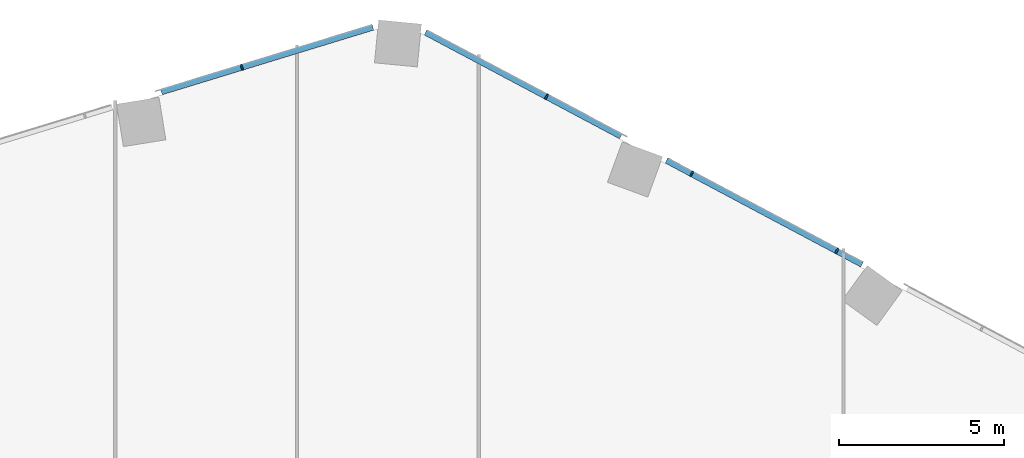
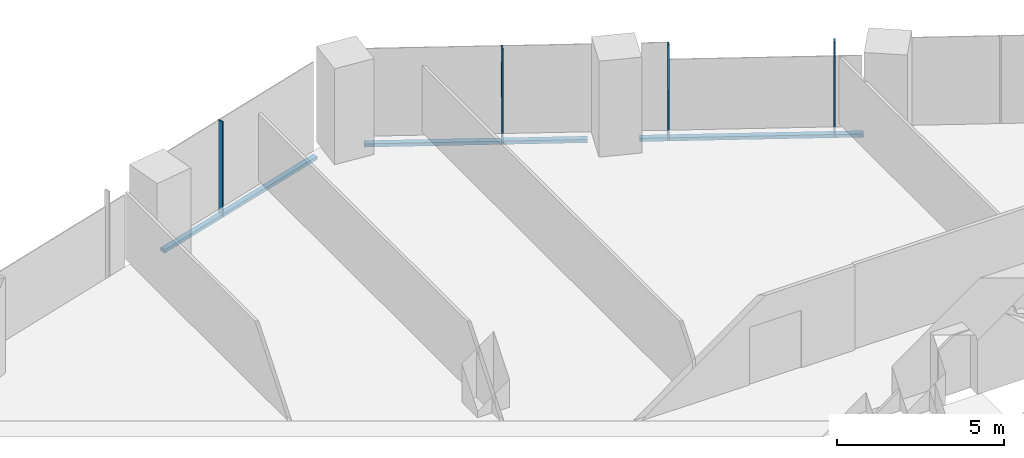
# One storey, part 12 of 31: 7 members, 2 elements without a shape of their own.
"""IFC4 building model written with IfcOpenShell, lengths in metres."""

from ifc_helpers import new_model, si_unit, direction, frame, origin, origin_2d, place, context, subcontext, project, spatial, rectangle, extrude, material, material_profile, profile_set, type_object, element, aggregate, save


model = new_model("IFC4")

# Units and contexts
model_context = context("Model", 3, precision=1e-05, world=origin(), true_north=direction((0.0, 1.0)))
body_context = subcontext(model_context, "Body", "Model", "MODEL_VIEW")
ifc_project = project(units=[si_unit("LENGTHUNIT", "METRE"), si_unit("AREAUNIT", "SQUARE_METRE"), si_unit("VOLUMEUNIT", "CUBIC_METRE"), si_unit("PLANEANGLEUNIT", "RADIAN"), si_unit("MASSUNIT", "GRAM", prefix="KILO")], contexts=[model_context])

# Site, building, storey
site_placement = place(None, origin())
site = spatial("IfcSite", under=ifc_project, at=site_placement, CompositionType="ELEMENT")
building_placement = place(site_placement, origin())
building = spatial("IfcBuilding", under=site, at=building_placement, Name="Orlundy Tower", CompositionType="ELEMENT")
storey_placement = place(building_placement, frame((0.0, 0.0, 94.699951171875)))
storey = spatial("IfcBuildingStorey", under=building, at=storey_placement, Name="L23", CompositionType="ELEMENT", Elevation=94.699951171875)

# Curtain wall, member
ifc_material_1 = material(Name="Aluminium bronze anodised", Category="aluminium")
curtain_wall_type = type_object("IfcCurtainWallType", Name="CW1 wall", PredefinedType="NOTDEFINED", material=ifc_material_1)
curtain_wall_1_placement = place(storey_placement, origin())
curtain_wall_1 = element("IfcCurtainWall", 1, at=curtain_wall_1_placement, inside=storey, type_object=curtain_wall_type, Name="CW1 run 03", PredefinedType="NOTDEFINED")
ifc_material_2 = material(Name="Aluminium bronze anodised", Category="aluminium")
ifc_material_profile_1 = material_profile(ifc_material_2, rectangle(XDim=0.179931640625, YDim=0.050048828125, at=origin_2d()), Name="CW1 mullion 50x180")
ifc_profile_set_1 = profile_set([ifc_material_profile_1], Name="Aluminium bronze anodised")
member_type_1 = type_object("IfcMemberType", Name="CW1 mullion 50x180", PredefinedType="MULLION", material=ifc_profile_set_1)
member_1_placement = place(storey_placement, frame((-1.667724609375, 30.954833984375, -0.39990234375), z_axis=(0.0, 0.0, 1.0), x_axis=(-0.292360624804, 0.956308143364, 0.0)))
member_1 = element("IfcMember", 2, at=member_1_placement, type_object=member_type_1, Name="CW1 mullion 18", PredefinedType="MULLION", context=body_context, shape_type="SweptSolid", body=[
    extrude(rectangle(XDim=0.179931640625, YDim=0.050048828125, at=origin_2d()), origin(), (0.0, 0.0, 1.0), 3.5),
])

# Curtain wall, members
curtain_wall_2_placement = place(storey_placement, origin())
curtain_wall_2 = element("IfcCurtainWall", 3, at=curtain_wall_2_placement, inside=storey, type_object=curtain_wall_type, Name="CW1 run 04", PredefinedType="NOTDEFINED")
member_2_placement = place(storey_placement, frame((7.54296875, 30.068115234375, -0.39990234375), z_axis=(0.0, 0.0, 1.0), x_axis=(0.469445471129, 0.882961465544, 0.0)))
member_2 = element("IfcMember", 4, at=member_2_placement, type_object=member_type_1, Name="CW1 mullion 20", PredefinedType="MULLION", context=body_context, shape_type="SweptSolid", body=[
    extrude(rectangle(XDim=0.179931640625, YDim=0.050048828125, at=origin_2d()), origin(), (0.0, 0.0, 1.0), 3.5),
])
member_3_placement = place(storey_placement, frame((11.931884765625, 27.734619140625, -0.39990234375), z_axis=(0.0, 0.0, 1.0), x_axis=(0.469445471129, 0.882961465544, 0.0)))
member_3 = element("IfcMember", 5, at=member_3_placement, type_object=member_type_1, Name="CW1 mullion 21", PredefinedType="MULLION", context=body_context, shape_type="SweptSolid", body=[
    extrude(rectangle(XDim=0.179931640625, YDim=0.050048828125, at=origin_2d()), origin(), (0.0, 0.0, 1.0), 3.5),
])
member_4_placement = place(storey_placement, frame((16.320556640625, 25.4013671875, -0.39990234375), z_axis=(0.0, 0.0, 1.0), x_axis=(0.469445471129, 0.882961465544, 0.0)))
member_4 = element("IfcMember", 6, at=member_4_placement, type_object=member_type_1, Name="CW1 mullion 22", PredefinedType="MULLION", context=body_context, shape_type="SweptSolid", body=[
    extrude(rectangle(XDim=0.179931640625, YDim=0.050048828125, at=origin_2d()), origin(), (0.0, 0.0, 1.0), 3.5),
])

# Member
ifc_material_3 = material(Name="Aluminium bronze anodised", Category="aluminium")
ifc_material_profile_2 = material_profile(ifc_material_3, rectangle(XDim=0.179931640625, YDim=0.1201171875, at=origin_2d()), Name="CW1 transom 180x120")
ifc_profile_set_2 = profile_set([ifc_material_profile_2], Name="Aluminium bronze anodised")
member_type_2 = type_object("IfcMemberType", Name="CW1 transom 180x120", PredefinedType="USERDEFINED", material=ifc_profile_set_2)
member_5_placement = place(storey_placement, frame((-4.1015625, 30.2109375, -0.33984375), z_axis=(0.956318121775, 0.292327983548, 0.0), x_axis=(-0.292327983548, 0.956318121775, 0.0)))
member_5 = element("IfcMember", 7, at=member_5_placement, type_object=member_type_2, Name="CW1 transom", ObjectType="TRANSOM", PredefinedType="USERDEFINED", context=body_context, shape_type="SweptSolid", body=[
    extrude(rectangle(XDim=0.179931640625, YDim=0.1201171875, at=origin_2d()), origin(), (0.0, 0.0, 1.0), 6.68701171875),
])

aggregate(curtain_wall_1, [member_1, member_5])

member_6_placement = place(storey_placement, frame((3.885986328125, 32.012451171875, -0.33984375), z_axis=(0.882949326186, -0.469468302858, 0.0), x_axis=(0.469468302858, 0.882949326186, 0.0)))
member_6 = element("IfcMember", 8, at=member_6_placement, type_object=member_type_2, Name="CW1 transom", ObjectType="TRANSOM", PredefinedType="USERDEFINED", context=body_context, shape_type="SweptSolid", body=[
    extrude(rectangle(XDim=0.179931640625, YDim=0.1201171875, at=origin_2d()), origin(), (0.0, 0.0, 1.0), 6.689208984375),
])

member_7_placement = place(storey_placement, frame((11.1708984375, 28.13916015625, -0.33984375), z_axis=(0.882974027203, -0.469421843638, 0.0), x_axis=(0.469421843638, 0.882974027203, 0.0)))
member_7 = element("IfcMember", 9, at=member_7_placement, type_object=member_type_2, Name="CW1 transom", ObjectType="TRANSOM", PredefinedType="USERDEFINED", context=body_context, shape_type="SweptSolid", body=[
    extrude(rectangle(XDim=0.179931640625, YDim=0.1201171875, at=origin_2d()), origin(), (0.0, 0.0, 1.0), 6.694580078125),
])

aggregate(curtain_wall_2, [member_2, member_3, member_4, member_6, member_7])

save(model, "model.ifc")
